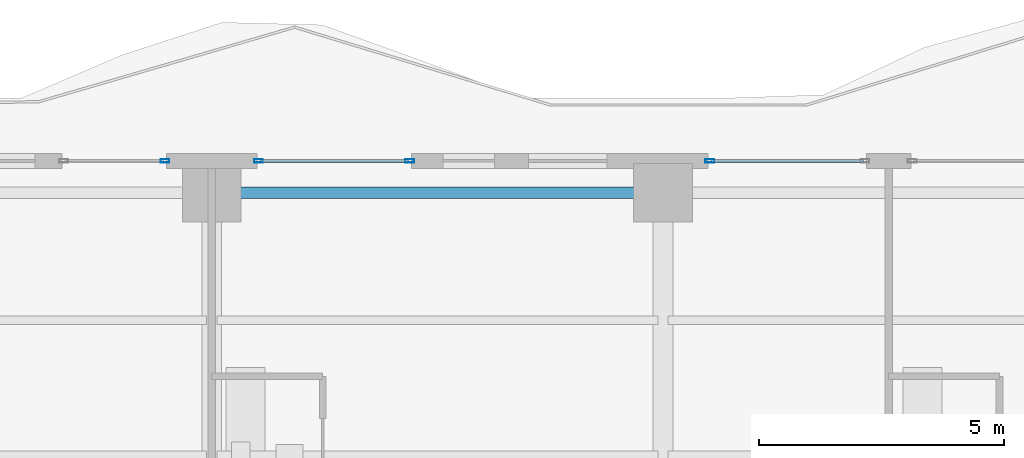
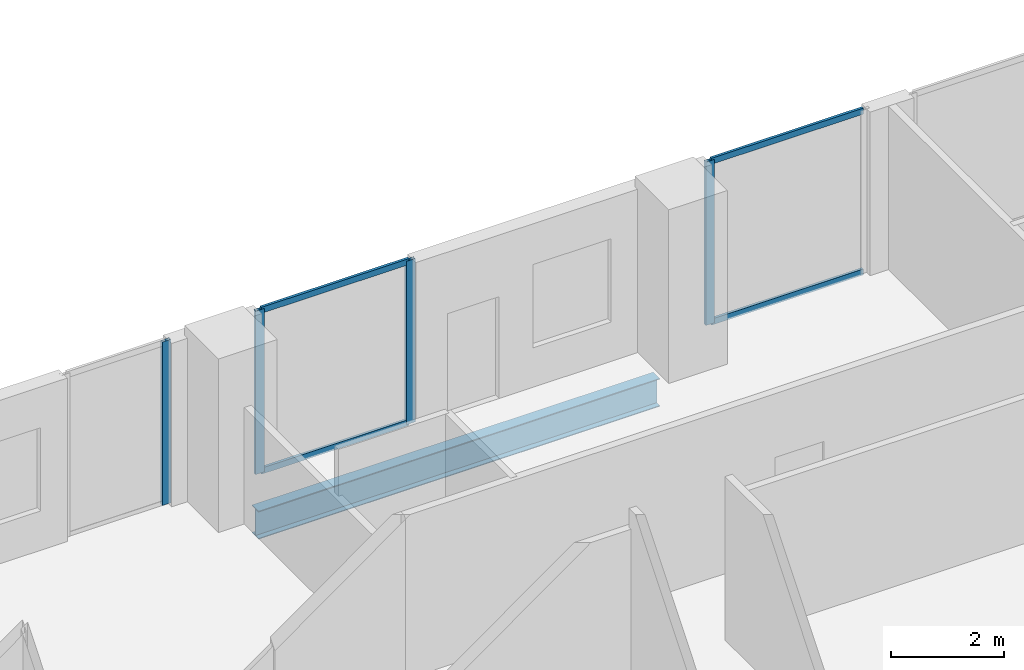
# One storey, part 20 of 33: 8 members, 1 beam, 3 elements without a shape of their own.
"""IFC4 building model written with IfcOpenShell, lengths in metres."""

from ifc_helpers import new_model, si_unit, direction, frame, origin, origin_2d, place, context, subcontext, project, spatial, hollow_rectangle, i_section, extrude, material, layer, layer_set, material_profile, profile_set, type_object, element, aggregate, save


model = new_model("IFC4")

# Units and contexts
model_context = context("Model", 3, precision=1e-05, world=origin(), true_north=direction((0.0, 1.0)))
body_context = subcontext(model_context, "Body", "Model", "MODEL_VIEW")
ifc_project = project(units=[si_unit("LENGTHUNIT", "METRE"), si_unit("AREAUNIT", "SQUARE_METRE"), si_unit("VOLUMEUNIT", "CUBIC_METRE"), si_unit("PLANEANGLEUNIT", "RADIAN"), si_unit("MASSUNIT", "GRAM", prefix="KILO")], contexts=[model_context])

# Site, building, storey
site_placement = place(None, origin())
site = spatial("IfcSite", under=ifc_project, at=site_placement, CompositionType="ELEMENT")
building_placement = place(site_placement, origin())
building = spatial("IfcBuilding", under=site, at=building_placement, Name="Zuhayl Quay Hotel", CompositionType="ELEMENT")
storey_placement = place(building_placement, frame((0.0, 0.0, 214.89990234375)))
storey = spatial("IfcBuildingStorey", under=building, at=storey_placement, Name="L54", CompositionType="ELEMENT", Elevation=214.89990234375)

# Beam
ifc_material_1 = material(Name="Steel ASTM A992 Grade 50", Category="steel")
ifc_material_profile_1 = material_profile(ifc_material_1, i_section(OverallWidth=0.22802734375, OverallDepth=0.60693359375, WebThickness=0.01123046875, FlangeThickness=0.017333984375, at=origin_2d()), Name="W24X76")
ifc_profile_set_1 = profile_set([ifc_material_profile_1], Name="Steel ASTM A992 Grade 50")
beam_type = type_object("IfcBeamType", Name="BM_B3_W24X76", PredefinedType="BEAM", material=ifc_profile_set_1)
beam_placement = place(storey_placement, frame((4.10009765625, 32.949951171875, -0.5234375), z_axis=(-1.0, 0.0, 0.0), x_axis=(0.0, -1.0, 0.0)))
element("IfcBeam", 1, at=beam_placement, inside=storey, type_object=beam_type, Name="L54 Floor Beam RG_L54_08", PredefinedType="BEAM", context=body_context, shape_type="SweptSolid", body=[
    extrude(i_section(OverallWidth=0.22802734375, OverallDepth=0.60693359375, WebThickness=0.01123046875, FlangeThickness=0.017333984375, at=origin_2d()), origin(), (0.0, 0.0, 1.0), 8.2001953125),
])

# Curtain wall, member
ifc_material_2 = material(Name="Anodised Aluminium 6063-T6", Category="aluminium")
ifc_layer = layer(ifc_material_2, 0.175048828125, Name="Anodised Aluminium 6063-T6", Category="aluminium")
ifc_layer_set = layer_set([ifc_layer], Name="Anodised Aluminium 6063-T6")
curtain_wall_type = type_object("IfcCurtainWallType", Name="CW_SYS_Z3", PredefinedType="USERDEFINED", material=ifc_layer_set)
curtain_wall_1_placement = place(storey_placement, origin())
curtain_wall_1 = element("IfcCurtainWall", 2, at=curtain_wall_1_placement, inside=storey, type_object=curtain_wall_type, Name="L54 Curtain Wall ENV_L54_N_CW3", ObjectType="UNITISED CURTAIN WALL", PredefinedType="USERDEFINED")
ifc_material_3 = material(Name="Black-anodised aluminium 6063-T6", Category="aluminium")
ifc_material_profile_2 = material_profile(ifc_material_3, hollow_rectangle(XDim=0.06494140625, YDim=0.179931640625, WallThickness=0.00341796875, at=origin_2d()), Name="ALU180X65")
ifc_profile_set_2 = profile_set([ifc_material_profile_2], Name="Black-anodised aluminium 6063-T6")
member_type_1 = type_object("IfcMemberType", Name="MB_CW_MUL_180", PredefinedType="MULLION", material=ifc_profile_set_2)
member_1_placement = place(storey_placement, frame((-5.552490234375, 33.60009765625, 0.0), z_axis=(0.0, 0.0, 1.0), x_axis=(0.0, 1.0, 0.0)))
member_1 = element("IfcMember", 3, at=member_1_placement, type_object=member_type_1, Name="CW-Z3 mullion 2", PredefinedType="MULLION", context=body_context, shape_type="SweptSolid", body=[
    extrude(hollow_rectangle(XDim=0.06494140625, YDim=0.179931640625, WallThickness=0.00341796875, at=origin_2d()), origin(), (0.0, 0.0, 1.0), 3.530029296875),
])
aggregate(curtain_wall_1, [member_1])

# Curtain wall, members
curtain_wall_2_placement = place(storey_placement, origin())
curtain_wall_2 = element("IfcCurtainWall", 4, at=curtain_wall_2_placement, inside=storey, type_object=curtain_wall_type, Name="L54 Curtain Wall ENV_L54_N_CW4", ObjectType="UNITISED CURTAIN WALL", PredefinedType="USERDEFINED")
member_2_placement = place(storey_placement, frame((-3.6474609375, 33.60009765625, 0.0), z_axis=(0.0, 0.0, 1.0), x_axis=(0.0, 1.0, 0.0)))
member_2 = element("IfcMember", 5, at=member_2_placement, type_object=member_type_1, Name="CW-Z3 mullion 1", PredefinedType="MULLION", context=body_context, shape_type="SweptSolid", body=[
    extrude(hollow_rectangle(XDim=0.06494140625, YDim=0.179931640625, WallThickness=0.00341796875, at=origin_2d()), origin(), (0.0, 0.0, 1.0), 3.530029296875),
])
member_3_placement = place(storey_placement, frame((-0.5634765625, 33.60009765625, 0.0), z_axis=(0.0, 0.0, 1.0), x_axis=(0.0, 1.0, 0.0)))
member_3 = element("IfcMember", 6, at=member_3_placement, type_object=member_type_1, Name="CW-Z3 mullion 2", PredefinedType="MULLION", context=body_context, shape_type="SweptSolid", body=[
    extrude(hollow_rectangle(XDim=0.06494140625, YDim=0.179931640625, WallThickness=0.00341796875, at=origin_2d()), origin(), (0.0, 0.0, 1.0), 3.530029296875),
])

# Curtain wall, member
curtain_wall_3_placement = place(storey_placement, origin())
curtain_wall_3 = element("IfcCurtainWall", 7, at=curtain_wall_3_placement, inside=storey, type_object=curtain_wall_type, Name="L54 Curtain Wall ENV_L54_N_CW5", ObjectType="UNITISED CURTAIN WALL", PredefinedType="USERDEFINED")
member_4_placement = place(storey_placement, frame((5.552490234375, 33.60009765625, 0.0), z_axis=(0.0, 0.0, 1.0), x_axis=(0.0, 1.0, 0.0)))
member_4 = element("IfcMember", 8, at=member_4_placement, type_object=member_type_1, Name="CW-Z3 mullion 1", PredefinedType="MULLION", context=body_context, shape_type="SweptSolid", body=[
    extrude(hollow_rectangle(XDim=0.06494140625, YDim=0.179931640625, WallThickness=0.00341796875, at=origin_2d()), origin(), (0.0, 0.0, 1.0), 3.530029296875),
])

# Member
ifc_material_profile_3 = material_profile(ifc_material_3, hollow_rectangle(XDim=0.054931640625, YDim=0.1298828125, WallThickness=0.0029296875, at=origin_2d()), Name="ALU130X55")
ifc_profile_set_3 = profile_set([ifc_material_profile_3], Name="Black-anodised aluminium 6063-T6")
member_type_2 = type_object("IfcMemberType", Name="MB_CW_TRN_130", PredefinedType="USERDEFINED", material=ifc_profile_set_3)
member_5_placement = place(storey_placement, frame((-3.614990234375, 33.60009765625, 0.027587890625), z_axis=(1.0, 0.0, 0.0), x_axis=(0.0, 1.0, 0.0)))
member_5 = element("IfcMember", 9, at=member_5_placement, type_object=member_type_2, Name="CW-Z3 transom 1.1", ObjectType="TRANSOM", PredefinedType="USERDEFINED", context=body_context, shape_type="SweptSolid", body=[
    extrude(hollow_rectangle(XDim=0.054931640625, YDim=0.1298828125, WallThickness=0.0029296875, at=origin_2d()), origin(), (0.0, 0.0, 1.0), 3.01904296875),
])

member_6_placement = place(storey_placement, frame((-3.614990234375, 33.60009765625, 3.502685546875), z_axis=(1.0, 0.0, 0.0), x_axis=(0.0, 1.0, 0.0)))
member_6 = element("IfcMember", 10, at=member_6_placement, type_object=member_type_2, Name="CW-Z3 transom 1.2", ObjectType="TRANSOM", PredefinedType="USERDEFINED", context=body_context, shape_type="SweptSolid", body=[
    extrude(hollow_rectangle(XDim=0.054931640625, YDim=0.1298828125, WallThickness=0.0029296875, at=origin_2d()), origin(), (0.0, 0.0, 1.0), 3.01904296875),
])

aggregate(curtain_wall_2, [member_2, member_3, member_5, member_6])

member_7_placement = place(storey_placement, frame((5.5849609375, 33.60009765625, 0.027587890625), z_axis=(1.0, 0.0, 0.0), x_axis=(0.0, 1.0, 0.0)))
member_7 = element("IfcMember", 11, at=member_7_placement, type_object=member_type_2, Name="CW-Z3 transom 1.1", ObjectType="TRANSOM", PredefinedType="USERDEFINED", context=body_context, shape_type="SweptSolid", body=[
    extrude(hollow_rectangle(XDim=0.054931640625, YDim=0.1298828125, WallThickness=0.0029296875, at=origin_2d()), origin(), (0.0, 0.0, 1.0), 3.10009765625),
])

member_8_placement = place(storey_placement, frame((5.5849609375, 33.60009765625, 3.502685546875), z_axis=(1.0, 0.0, 0.0), x_axis=(0.0, 1.0, 0.0)))
member_8 = element("IfcMember", 12, at=member_8_placement, type_object=member_type_2, Name="CW-Z3 transom 1.2", ObjectType="TRANSOM", PredefinedType="USERDEFINED", context=body_context, shape_type="SweptSolid", body=[
    extrude(hollow_rectangle(XDim=0.054931640625, YDim=0.1298828125, WallThickness=0.0029296875, at=origin_2d()), origin(), (0.0, 0.0, 1.0), 3.10009765625),
])

aggregate(curtain_wall_3, [member_4, member_7, member_8])

save(model, "model.ifc")
